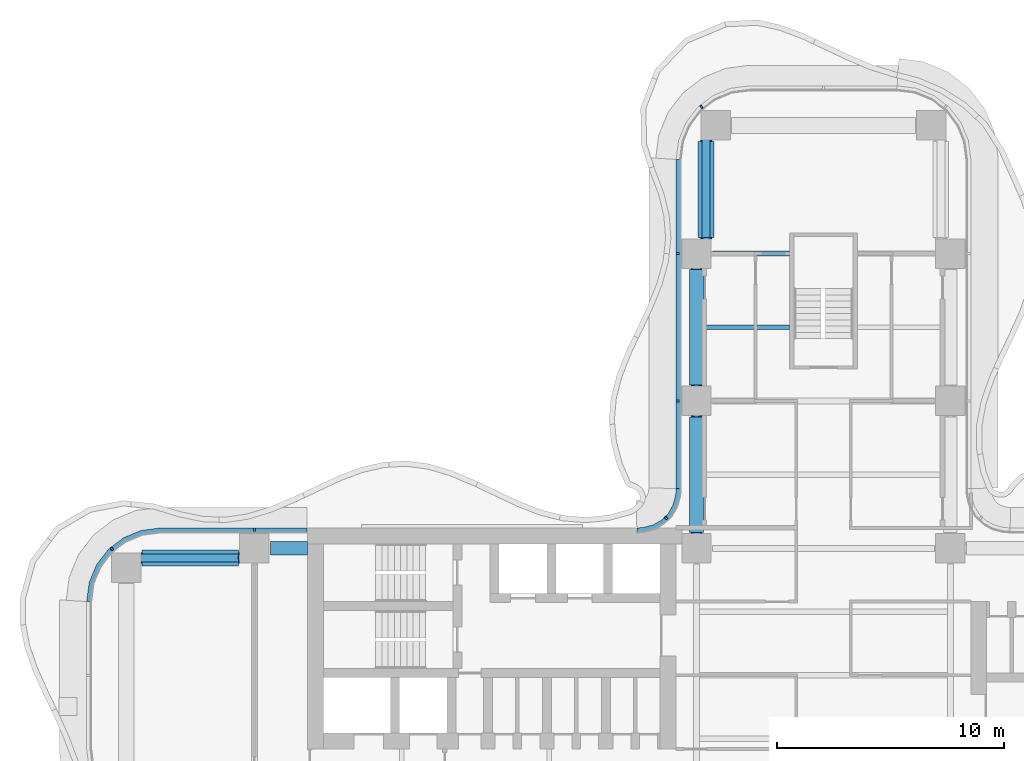
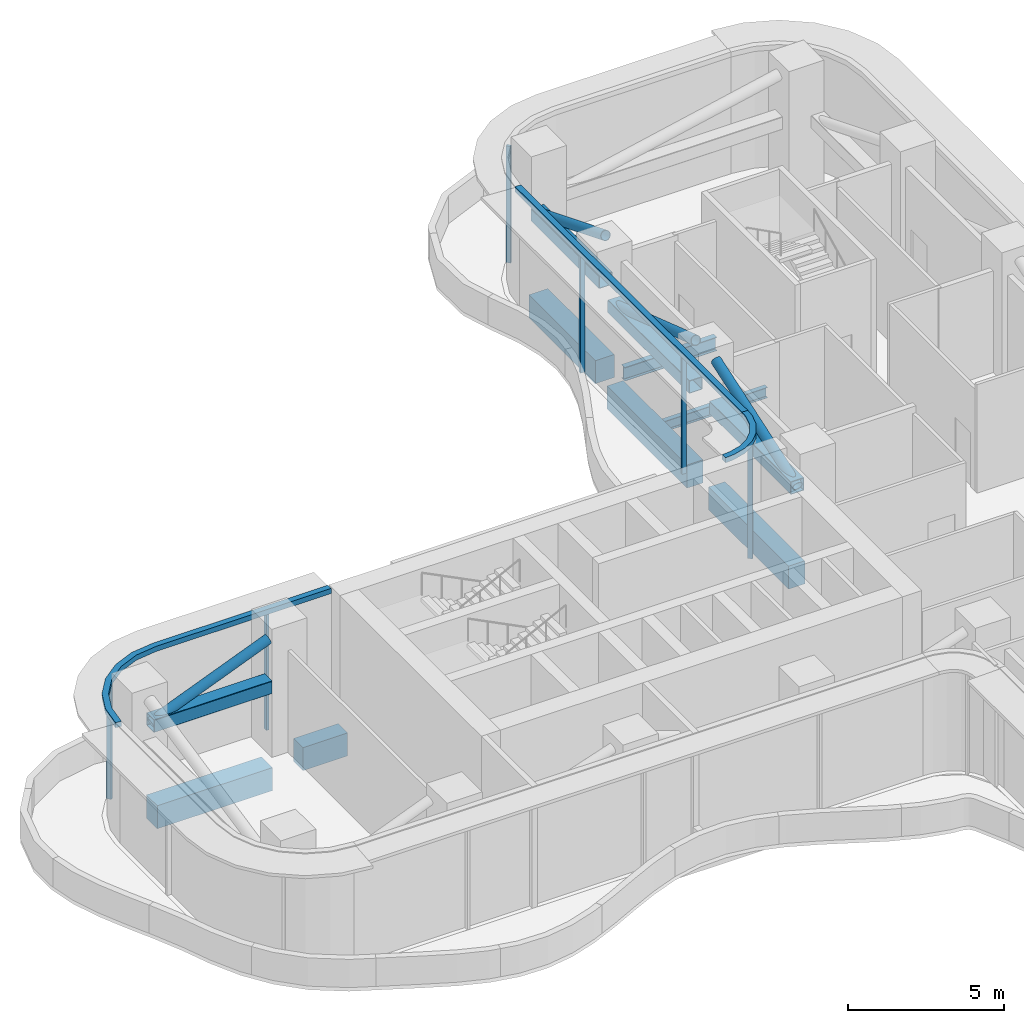
# One storey, part 6 of 20: 13 members, 11 beams, 4 elements without a shape of their own.
"""IFC4 building model written with IfcOpenShell, lengths in metres."""

from ifc_helpers import new_model, si_unit, direction, frame, origin, origin_2d, place, context, subcontext, project, spatial, polyline, rectangle, hollow_rectangle, hollow_circle, i_section, outline, extrude, source, transform, mapped, material, layer, layer_set, material_profile, profile_set, type_object, element, aggregate, save


model = new_model("IFC4")

# Units and contexts
model_context = context("Model", 3, precision=1e-05, world=origin(), true_north=direction((0.0, 1.0)))
body_context = subcontext(model_context, "Body", "Model", "MODEL_VIEW")
ifc_project = project(units=[si_unit("LENGTHUNIT", "METRE"), si_unit("AREAUNIT", "SQUARE_METRE"), si_unit("VOLUMEUNIT", "CUBIC_METRE"), si_unit("PLANEANGLEUNIT", "RADIAN"), si_unit("MASSUNIT", "GRAM", prefix="KILO")], contexts=[model_context])

# Site, building, storey
site_placement = place(None, origin())
site = spatial("IfcSite", under=ifc_project, at=site_placement, CompositionType="ELEMENT")
building_placement = place(site_placement, origin())
building = spatial("IfcBuilding", under=site, at=building_placement, Name="Trellis Farm Tower", CompositionType="ELEMENT")
storey_placement = place(building_placement, frame((0.0, 0.0, 92.5)))
storey = spatial("IfcBuildingStorey", under=building, at=storey_placement, Name="L19", CompositionType="ELEMENT", Elevation=92.5)

# Beams
ifc_material_1 = material(Name="Steel S355", Category="steel")
ifc_material_profile_1 = material_profile(ifc_material_1, i_section(OverallWidth=0.209228515625, OverallDepth=0.533203125, WebThickness=0.010009765625, FlangeThickness=0.015625, FilletRadius=0.0126953125, at=origin_2d()), Name="UB 533x210x92")
ifc_profile_set_1 = profile_set([ifc_material_profile_1], Name="Steel S355")
beam_type_1 = type_object("IfcBeamType", Name="UB 533x210x92", PredefinedType="BEAM", material=ifc_profile_set_1)
shared_shape_1 = source(origin(), body_context, "Body", "SweptSolid", [
    extrude(i_section(OverallWidth=0.209228515625, OverallDepth=0.533203125, WebThickness=0.010009765625, FlangeThickness=0.015625, FilletRadius=0.0126953125, at=origin_2d()), origin(), (0.0, 0.0, 1.0), 3.39990234375),
])
beam_1_placement = place(storey_placement, frame((-4.89990234375, 18.60009765625, -0.56640625), z_axis=(1.0, 0.0, 0.0), x_axis=(0.0, 1.0, 0.0)))
element("IfcBeam", 1, at=beam_1_placement, inside=storey, type_object=beam_type_1, Name="Girder", PredefinedType="BEAM", context=body_context, shape_type="MappedRepresentation", body=[
    mapped(shared_shape_1, transform((0.0, 0.0, 0.0))),
])
ifc_material_2 = material(Name="Concrete C60/75", Category="concrete")
ifc_material_profile_2 = material_profile(ifc_material_2, rectangle(XDim=0.60009765625, YDim=0.89990234375, at=origin_2d()), Name="RC spandrel beam 600x900 C60/75")
ifc_profile_set_2 = profile_set([ifc_material_profile_2], Name="Concrete C60/75")
beam_type_2 = type_object("IfcBeamType", Name="RC spandrel beam 600x900 C60/75", PredefinedType="SPANDREL", material=ifc_profile_set_2)
shared_shape_2 = source(origin(), body_context, "Body", "SweptSolid", [
    extrude(rectangle(XDim=0.60009765625, YDim=0.89990234375, at=origin_2d()), origin(), (0.0, 0.0, 1.0), 5.099853515625),
])
for number, where, z_axis, x_axis, name in (
    (2, (-5.60009765625, 6.300048828125, -0.75), (0.0, 1.0, 0.0), (-1.0, 0.0, 0.0), "Girder"),
    (3, (-5.60009765625, 12.800048828125, -0.75), (0.0, 1.0, 0.0), (-1.0, 0.0, 0.0), "Girder"),
):
    element("IfcBeam", number, at=place(storey_placement, frame(where, z_axis=z_axis, x_axis=x_axis)), inside=storey, type_object=beam_type_2, Name=name, PredefinedType="SPANDREL", context=body_context, shape_type="MappedRepresentation", body=[
        mapped(shared_shape_2, transform((0.0, 0.0, 0.0))),
    ])
ifc_material_profile_3 = material_profile(ifc_material_2, rectangle(XDim=0.699951171875, YDim=0.89990234375, at=origin_2d()), Name="RC spandrel beam 700x900 C60/75")
ifc_profile_set_3 = profile_set([ifc_material_profile_3], Name="Concrete C60/75")
beam_type_3 = type_object("IfcBeamType", Name="RC spandrel beam 700x900 C60/75", PredefinedType="SPANDREL", material=ifc_profile_set_3)
shared_shape_3 = source(origin(), body_context, "Body", "SweptSolid", [
    extrude(rectangle(XDim=0.699951171875, YDim=0.89990234375, at=origin_2d()), origin(), (0.0, 0.0, 1.0), 4.25),
])
for number, where, z_axis, x_axis, name in (
    (4, (-30.050048828125, 5.175048828125, -0.75), (1.0, 0.0, 0.0), (0.0, 1.0, 0.0), "Girder"),
    (5, (-5.175048828125, 19.300048828125, -0.75), (0.0, 1.0, 0.0), (-1.0, 0.0, 0.0), "Girder"),
):
    element("IfcBeam", number, at=place(storey_placement, frame(where, z_axis=z_axis, x_axis=x_axis)), inside=storey, type_object=beam_type_3, Name=name, PredefinedType="SPANDREL", context=body_context, shape_type="MappedRepresentation", body=[
        mapped(shared_shape_3, transform((0.0, 0.0, 0.0))),
    ])
shared_shape_4 = source(origin(), body_context, "Body", "SweptSolid", [
    extrude(rectangle(XDim=0.60009765625, YDim=0.89990234375, at=origin_2d()), origin(), (0.0, 0.0, 1.0), 1.64990234375),
])
beam_2_placement = place(storey_placement, frame((-24.39990234375, 5.60009765625, -0.75), z_axis=(1.0, 0.0, 0.0), x_axis=(0.0, 1.0, 0.0)))
element("IfcBeam", 6, at=beam_2_placement, inside=storey, type_object=beam_type_2, Name="Girder", PredefinedType="SPANDREL", context=body_context, shape_type="MappedRepresentation", body=[
    mapped(shared_shape_4, transform((0.0, 0.0, 0.0))),
])
ifc_material_profile_4 = material_profile(ifc_material_1, i_section(OverallWidth=0.177978515625, OverallDepth=0.406494140625, WebThickness=0.0078125, FlangeThickness=0.0126953125, FilletRadius=0.01025390625, at=origin_2d()), Name="UB 406x178x60")
ifc_profile_set_4 = profile_set([ifc_material_profile_4], Name="Steel S355")
beam_type_4 = type_object("IfcBeamType", Name="UB 406x178x60 joist", PredefinedType="JOIST", material=ifc_profile_set_4)
shared_shape_5 = source(origin(), body_context, "Body", "SweptSolid", [
    extrude(i_section(OverallWidth=0.177978515625, OverallDepth=0.406494140625, WebThickness=0.0078125, FlangeThickness=0.0126953125, FilletRadius=0.01025390625, at=origin_2d()), origin(), (0.0, 0.0, 1.0), 3.800048828125),
])
beam_3_placement = place(storey_placement, frame((-5.300048828125, 15.35009765625, -0.503173828125), z_axis=(1.0, 0.0, 0.0), x_axis=(0.0, 1.0, 0.0)))
element("IfcBeam", 7, at=beam_3_placement, inside=storey, type_object=beam_type_4, Name="Floor beam", PredefinedType="JOIST", context=body_context, shape_type="MappedRepresentation", body=[
    mapped(shared_shape_5, transform((0.0, 0.0, 0.0))),
])
ifc_material_profile_5 = material_profile(ifc_material_1, hollow_rectangle(XDim=0.5, YDim=0.5, WallThickness=0.02001953125, InnerFilletRadius=0.02001953125, OuterFilletRadius=0.030029296875, at=origin_2d()), Name="SHS 500x500x20")
ifc_profile_set_5 = profile_set([ifc_material_profile_5], Name="Steel S355")
beam_type_5 = type_object("IfcBeamType", Name="SHS 500x500x20", PredefinedType="BEAM", material=ifc_profile_set_5)
shared_shape_6 = source(origin(), body_context, "Body", "SweptSolid", [
    extrude(hollow_rectangle(XDim=0.5, YDim=0.5, WallThickness=0.02001953125, InnerFilletRadius=0.02001953125, OuterFilletRadius=0.030029296875, at=origin_2d()), origin(), (0.0, 0.0, 1.0), 5.199951171875),
])
for number, where, z_axis, x_axis, name in (
    (8, (-5.60009765625, 6.25, 2.75), (0.0, 1.0, 0.0), (-1.0, 0.0, 0.0), "Outrigger truss chord SHS 500x500x20"),
    (9, (-5.60009765625, 12.75, 2.75), (0.0, 1.0, 0.0), (-1.0, 0.0, 0.0), "Outrigger truss chord SHS 500x500x20"),
):
    element("IfcBeam", number, at=place(storey_placement, frame(where, z_axis=z_axis, x_axis=x_axis)), inside=storey, type_object=beam_type_5, Name=name, PredefinedType="BEAM", context=body_context, shape_type="MappedRepresentation", body=[
        mapped(shared_shape_6, transform((0.0, 0.0, 0.0))),
    ])
shared_shape_7 = source(origin(), body_context, "Body", "SweptSolid", [
    extrude(hollow_rectangle(XDim=0.5, YDim=0.5, WallThickness=0.02001953125, InnerFilletRadius=0.02001953125, OuterFilletRadius=0.030029296875, at=origin_2d()), origin(), (0.0, 0.0, 1.0), 4.35009765625),
])
for number, where, z_axis, x_axis, name in (
    (10, (-30.10009765625, 5.175048828125, 2.75), (1.0, 0.0, 0.0), (0.0, 1.0, 0.0), "Outrigger truss chord SHS 500x500x20"),
    (11, (-5.175048828125, 19.25, 2.75), (0.0, 1.0, 0.0), (-1.0, 0.0, 0.0), "Outrigger truss chord SHS 500x500x20"),
):
    element("IfcBeam", number, at=place(storey_placement, frame(where, z_axis=z_axis, x_axis=x_axis)), inside=storey, type_object=beam_type_5, Name=name, PredefinedType="BEAM", context=body_context, shape_type="MappedRepresentation", body=[
        mapped(shared_shape_7, transform((0.0, 0.0, 0.0))),
    ])

# Members
ifc_material_profile_6 = material_profile(ifc_material_1, hollow_circle(Radius=0.177734375, WallThickness=0.01611328125, at=origin_2d()), Name="CHS 355.6x16")
ifc_profile_set_6 = profile_set([ifc_material_profile_6], Name="Steel S355")
member_type_1 = type_object("IfcMemberType", Name="CHS 355.6x16 brace", PredefinedType="BRACE", material=ifc_profile_set_6)
shared_shape_8 = source(origin(), body_context, "Body", "SweptSolid", [
    extrude(hollow_circle(Radius=0.177734375, WallThickness=0.01611328125, at=origin_2d()), origin(), (0.0, 0.0, 1.0), 5.486572265625),
])
for number, where, z_axis, x_axis, name in (
    (12, (-5.60009765625, 6.25, 2.75), (0.0, 0.947767137813, 0.318963089528), (-1.0, 0.0, 0.0), "Outrigger truss diagonal CHS 355.6x16"),
    (13, (-5.60009765625, 17.949951171875, 2.75), (0.0, -0.947767137813, 0.318963089528), (1.0, 0.0, 0.0), "Outrigger truss diagonal CHS 355.6x16"),
):
    element("IfcMember", number, at=place(storey_placement, frame(where, z_axis=z_axis, x_axis=x_axis)), inside=storey, type_object=member_type_1, Name=name, PredefinedType="BRACE", context=body_context, shape_type="MappedRepresentation", body=[
        mapped(shared_shape_8, transform((0.0, 0.0, 0.0))),
    ])
shared_shape_9 = source(origin(), body_context, "Body", "SweptSolid", [
    extrude(hollow_circle(Radius=0.177734375, WallThickness=0.01611328125, at=origin_2d()), origin(), (0.0, 0.0, 1.0), 4.68896484375),
])
for number, where, z_axis, x_axis, name in (
    (14, (-30.10009765625, 5.175048828125, 2.75), (0.927742346061, 0.0, 0.373221300739), (0.0, 1.0, 0.0), "Outrigger truss diagonal CHS 355.6x16"),
    (15, (-5.175048828125, 23.60009765625, 2.75), (0.0, -0.927742346061, 0.373221300739), (1.0, 0.0, 0.0), "Outrigger truss diagonal CHS 355.6x16"),
):
    element("IfcMember", number, at=place(storey_placement, frame(where, z_axis=z_axis, x_axis=x_axis)), inside=storey, type_object=member_type_1, Name=name, PredefinedType="BRACE", context=body_context, shape_type="MappedRepresentation", body=[
        mapped(shared_shape_9, transform((0.0, 0.0, 0.0))),
    ])

# Curtain wall, member
ifc_material_3 = material(Name="Aluminium and glass curtain wall", Category="aluminium")
ifc_layer_1 = layer(ifc_material_3, 0.196044921875)
ifc_layer_set_1 = layer_set([ifc_layer_1], Name="LOUVRED GLASS CURTAIN WALL CW6")
curtain_wall_type = type_object("IfcCurtainWallType", Name="LOUVRED GLASS CURTAIN WALL CW6", PredefinedType="NOTDEFINED", material=ifc_layer_set_1)
placement_1 = place(storey_placement, origin())
curtain_wall_1 = element("IfcCurtainWall", 16, at=placement_1, inside=storey, type_object=curtain_wall_type, Name="CW6 012", PredefinedType="NOTDEFINED")
ifc_material_4 = material(Name="Aluminium extrusion 6063-T6", Category="aluminium")
ifc_material_profile_7 = material_profile(ifc_material_4, rectangle(XDim=0.090087890625, YDim=0.159912109375, at=origin_2d()), Name="MULLION 90x160")
ifc_profile_set_7 = profile_set([ifc_material_profile_7], Name="Aluminium extrusion 6063-T6")
member_type_2 = type_object("IfcMemberType", Name="CW6 MULLION 90x160", PredefinedType="MULLION", material=ifc_profile_set_7)
shared_shape_10 = source(origin(), body_context, "Body", "SweptSolid", [
    extrude(rectangle(XDim=0.090087890625, YDim=0.159912109375, at=origin_2d()), origin(), (0.0, 0.0, 1.0), 4.550048828125),
])
member_1_placement = place(storey_placement, frame((-5.382568359375, 25.07421875, 0.0), z_axis=(0.0, 0.0, 1.0), x_axis=(-0.793353340291, -0.608761429009, 0.0)))
member_1 = element("IfcMember", 17, at=member_1_placement, type_object=member_type_2, Name="MU6 012-02", PredefinedType="MULLION", context=body_context, shape_type="MappedRepresentation", body=[
    mapped(shared_shape_10, transform((0.0, 0.0, 0.0))),
])
aggregate(curtain_wall_1, [member_1])

# Curtain wall, members
curtain_wall_2 = element("IfcCurtainWall", 18, at=placement_1, inside=storey, type_object=curtain_wall_type, Name="CW6 013", PredefinedType="NOTDEFINED")
member_2_placement = place(storey_placement, frame((-6.419921875, 18.60009765625, 0.0), z_axis=(0.0, 0.0, 1.0), x_axis=(0.0, -1.0, 0.0)))
member_2 = element("IfcMember", 19, at=member_2_placement, type_object=member_type_2, Name="MU6 013-01", PredefinedType="MULLION", context=body_context, shape_type="MappedRepresentation", body=[
    mapped(shared_shape_10, transform((0.0, 0.0, 0.0))),
])
member_3_placement = place(storey_placement, frame((-6.419921875, 12.10009765625, 0.0), z_axis=(0.0, 0.0, 1.0), x_axis=(0.0, -1.0, 0.0)))
member_3 = element("IfcMember", 20, at=member_3_placement, type_object=member_type_2, Name="MU6 013-02", PredefinedType="MULLION", context=body_context, shape_type="MappedRepresentation", body=[
    mapped(shared_shape_10, transform((0.0, 0.0, 0.0))),
])

# Curtain wall, member
curtain_wall_3 = element("IfcCurtainWall", 21, at=placement_1, inside=storey, type_object=curtain_wall_type, Name="CW6 014", PredefinedType="NOTDEFINED")
member_4_placement = place(storey_placement, frame((-6.93896484375, 6.93896484375, 0.0), z_axis=(0.0, 0.0, 1.0), x_axis=(-0.707106781187, -0.707106781187, 0.0)))
member_4 = element("IfcMember", 22, at=member_4_placement, type_object=member_type_2, Name="MU6 014-01", PredefinedType="MULLION", context=body_context, shape_type="MappedRepresentation", body=[
    mapped(shared_shape_10, transform((0.0, 0.0, 0.0))),
])

# Curtain wall, members
curtain_wall_4 = element("IfcCurtainWall", 23, at=placement_1, inside=storey, type_object=curtain_wall_type, Name="CW6 015", PredefinedType="NOTDEFINED")
member_5_placement = place(storey_placement, frame((-25.10009765625, 6.419921875, 0.0), z_axis=(0.0, 0.0, 1.0), x_axis=(-1.0, 0.0, 0.0)))
member_5 = element("IfcMember", 24, at=member_5_placement, type_object=member_type_2, Name="MU6 015-01", PredefinedType="MULLION", context=body_context, shape_type="MappedRepresentation", body=[
    mapped(shared_shape_10, transform((0.0, 0.0, 0.0))),
])
member_6_placement = place(storey_placement, frame((-31.382568359375, 5.57421875, 0.0), z_axis=(0.0, 0.0, 1.0), x_axis=(-0.793353340291, -0.608761429009, 0.0)))
member_6 = element("IfcMember", 25, at=member_6_placement, type_object=member_type_2, Name="MU6 015-02", PredefinedType="MULLION", context=body_context, shape_type="MappedRepresentation", body=[
    mapped(shared_shape_10, transform((0.0, 0.0, 0.0))),
])

# Member
ifc_layer_2 = layer(ifc_material_4, 0.2099609375)
ifc_layer_set_2 = layer_set([ifc_layer_2], Name="Aluminium extrusion 6063-T6")
member_type_3 = type_object("IfcMemberType", Name="CW6 TRANSOM 210x200", PredefinedType="USERDEFINED", material=ifc_layer_set_2)
shared_shape_11 = source(origin(), body_context, "Body", "SweptSolid", [
    extrude(outline(polyline([(-6.5, 22.75), (-6.5, 8.2314453125), (-6.2900390625, 8.224609375), (-6.2900390625, 22.736328125), (-6.5, 22.75)])), origin(), (0.0, 0.0, 1.0), 0.199951171875),
])
placement_2 = place(storey_placement, frame((0.0, 0.0, 4.550048828125)))
member_7 = element("IfcMember", 26, at=placement_2, type_object=member_type_3, Name="TR6 013", ObjectType="TRANSOM", PredefinedType="USERDEFINED", context=body_context, shape_type="MappedRepresentation", body=[
    mapped(shared_shape_11, transform((0.0, 0.0, 0.0))),
])

aggregate(curtain_wall_2, [member_2, member_3, member_7])

shared_shape_12 = source(origin(), body_context, "Body", "SweptSolid", [
    extrude(outline(polyline([(-6.5, 8.2314453125), (-6.513916015625, 8.01953125), (-6.527587890625, 7.91552734375), (-6.63671875, 7.508544921875), (-6.846923828125, 7.144287109375), (-7.144287109375, 6.846923828125), (-7.508544921875, 6.63671875), (-7.91552734375, 6.527587890625), (-8.01953125, 6.513916015625), (-8.2314453125, 6.5), (-8.224609375, 6.2900390625), (-7.9990234375, 6.3046875), (-7.87451171875, 6.321044921875), (-7.427490234375, 6.44091796875), (-7.015380859375, 6.678955078125), (-6.678955078125, 7.015380859375), (-6.44091796875, 7.427490234375), (-6.321044921875, 7.87451171875), (-6.3046875, 7.9990234375), (-6.2900390625, 8.224609375), (-6.5, 8.2314453125)])), origin(), (0.0, 0.0, 1.0), 0.199951171875),
])
member_8 = element("IfcMember", 27, at=placement_2, type_object=member_type_3, Name="TR6 014", ObjectType="TRANSOM", PredefinedType="USERDEFINED", context=body_context, shape_type="MappedRepresentation", body=[
    mapped(shared_shape_12, transform((0.0, 0.0, 0.0))),
])

aggregate(curtain_wall_3, [member_4, member_8])

shared_shape_13 = source(origin(), body_context, "Body", "SweptSolid", [
    extrude(outline(polyline([(-22.780029296875, 6.5), (-29.25, 6.5), (-30.091064453125, 6.38916015625), (-30.875, 6.064697265625), (-31.548095703125, 5.548095703125), (-32.064697265625, 4.875), (-32.38916015625, 4.091064453125), (-32.5, 3.25), (-32.2900390625, 3.236328125), (-32.1845703125, 4.036376953125), (-31.881103515625, 4.76904296875), (-31.3984375, 5.3984375), (-30.76904296875, 5.881103515625), (-30.036376953125, 6.1845703125), (-29.236328125, 6.2900390625), (-22.780029296875, 6.2900390625), (-22.780029296875, 6.5)])), origin(), (0.0, 0.0, 1.0), 0.199951171875),
])
member_9 = element("IfcMember", 28, at=placement_2, type_object=member_type_3, Name="TR6 015", ObjectType="TRANSOM", PredefinedType="USERDEFINED", context=body_context, shape_type="MappedRepresentation", body=[
    mapped(shared_shape_13, transform((0.0, 0.0, 0.0))),
])

aggregate(curtain_wall_4, [member_5, member_6, member_9])

save(model, "model.ifc")
